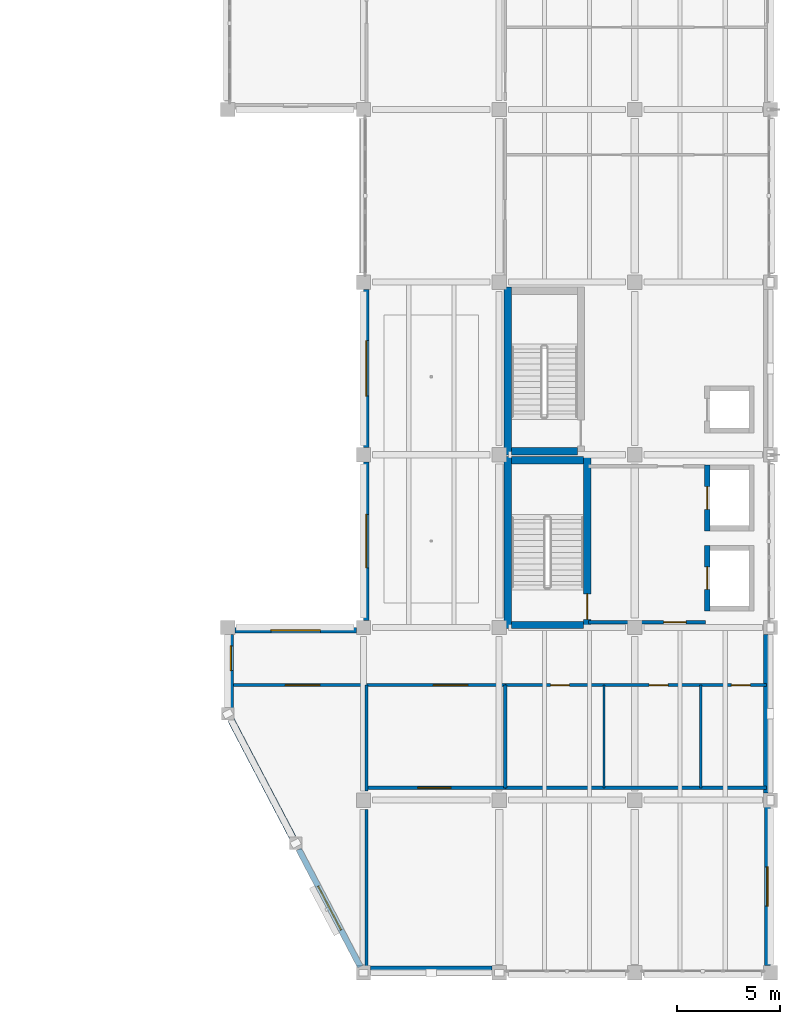
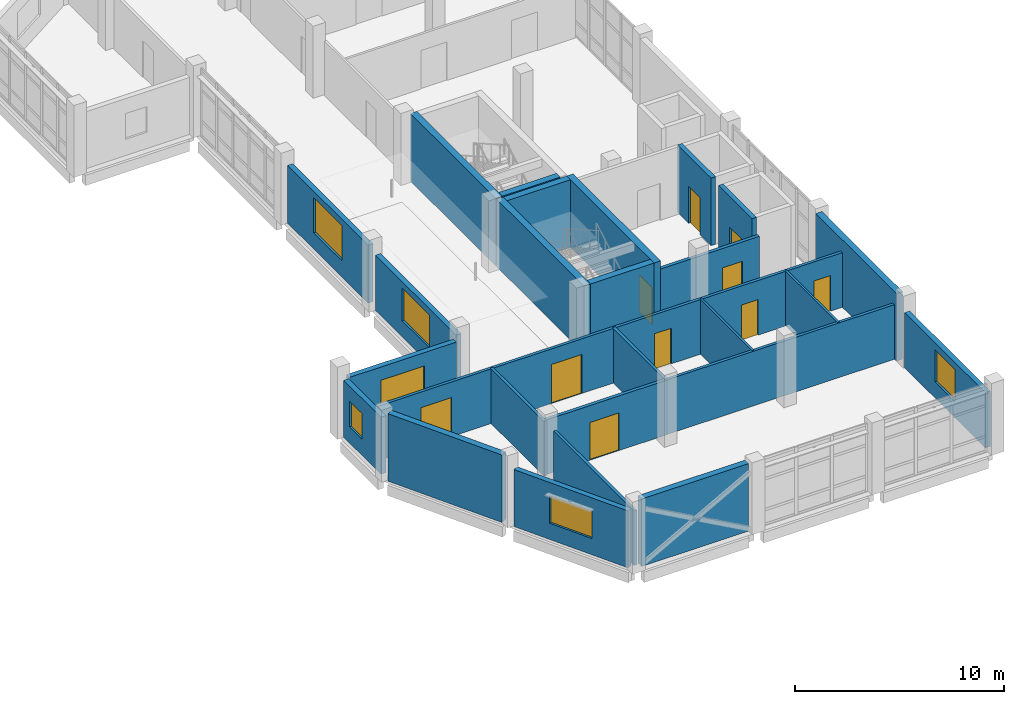
# One storey, part 52 of 74: 27 walls, 10 doors, 6 windows, 16 openings.
"""IFC4 building model written with IfcOpenShell, lengths in metres."""

from ifc_helpers import new_model, si_unit, direction, frame, frame_2d, origin, place, context, subcontext, project, spatial, rectangle, extrude, material, layer, layer_set, type_object, element, fill, save


model = new_model("IFC4")

# Units and contexts
model_context = context("Model", 3, precision=1e-05, world=origin(), true_north=direction((0.0, 1.0)))
body_context = subcontext(model_context, "Body", "Model", "MODEL_VIEW")
ifc_project = project(units=[si_unit("LENGTHUNIT", "METRE"), si_unit("AREAUNIT", "SQUARE_METRE"), si_unit("VOLUMEUNIT", "CUBIC_METRE"), si_unit("PLANEANGLEUNIT", "RADIAN"), si_unit("MASSUNIT", "GRAM", prefix="KILO")], contexts=[model_context])

# Site, building, storey
site_placement = place(None, origin())
site = spatial("IfcSite", under=ifc_project, at=site_placement, CompositionType="ELEMENT")
building_placement = place(site_placement, origin())
building = spatial("IfcBuilding", under=site, at=building_placement, Name="Qaldarim Faculty of Natural and Applied Sciences", CompositionType="ELEMENT")
storey_placement = place(building_placement, frame((0.0, 0.0, 14.39990234375)))
storey = spatial("IfcBuildingStorey", under=building, at=storey_placement, Name="L03", CompositionType="ELEMENT", Elevation=14.39990234375)

# Walls
ifc_material_1 = material(Name="Painted gypsum partition board")
ifc_layer_1 = layer(ifc_material_1, 0.1201171875)
ifc_layer_set_1 = layer_set([ifc_layer_1], Name="Painted gypsum partition board")
wall_type_1 = type_object("IfcWallType", Name="AcousticPartition-120", PredefinedType="PARTITIONING", material=ifc_layer_set_1)
for number, where, z_axis, x_axis, name in (
    (1, (170.10009765625, 9.0, 0.0), (0.0, 0.0, 1.0), (0.0, 1.0, 0.0), "Interior partition PRT-L03-V5-WCD1"),
    (2, (174.800048828125, 9.0, 0.0), (0.0, 0.0, 1.0), (0.0, 1.0, 0.0), "Interior partition PRT-L03-V5-WCD2"),
):
    element("IfcWall", number, at=place(storey_placement, frame(where, z_axis=z_axis, x_axis=x_axis)), inside=storey, type_object=wall_type_1, Name=name, PredefinedType="PARTITIONING", context=body_context, shape_type="SweptSolid", body=[
        extrude(rectangle(XDim=5.0, YDim=0.1201171875, at=frame_2d((2.5, 0.0))), origin(), (0.0, 0.0, 1.0), 3.190185546875),
    ])
ifc_material_2 = material(Name="Concrete C50/60", Category="concrete")
ifc_layer_2 = layer(ifc_material_2, 0.360107421875)
ifc_layer_set_2 = layer_set([ifc_layer_2], Name="Concrete C50/60")
wall_type_2 = type_object("IfcWallType", Name="CoreShearWall-360", PredefinedType="SHEAR", material=ifc_layer_set_2)
wall_1_placement = place(storey_placement, frame((165.419921875, 16.739990234375, 0.0), z_axis=(0.0, 0.0, 1.0), x_axis=(0.0, 1.0, 0.0)))
element("IfcWall", 3, at=wall_1_placement, inside=storey, type_object=wall_type_2, Name="Core stair ST-A1 west shear wall L03", PredefinedType="SHEAR", context=body_context, shape_type="SweptSolid", body=[
    extrude(rectangle(XDim=8.3701171875, YDim=0.360107421875, at=frame_2d((4.18505859375, 0.0))), origin(), (0.0, 0.0, 1.0), 3.940185546875),
])

# Wall, opening, door
wall_2_placement = place(storey_placement, frame((169.280029296875, 16.739990234375, 0.0), z_axis=(0.0, 0.0, 1.0), x_axis=(0.0, 1.0, 0.0)))
wall_2 = element("IfcWall", 4, at=wall_2_placement, inside=storey, type_object=wall_type_2, Name="Core stair ST-A1 east shear wall L03", PredefinedType="SHEAR", context=body_context, shape_type="SweptSolid", body=[
    extrude(rectangle(XDim=8.3701171875, YDim=0.360107421875, at=frame_2d((4.18505859375, 0.0))), origin(), (0.0, 0.0, 1.0), 3.940185546875),
])
opening_1_placement = place(wall_2_placement, frame((0.449951171875, 0.0, 0.0)))
opening_1 = element("IfcOpeningElement", 5, at=opening_1_placement, cuts=wall_2, Name="Opening ID04", PredefinedType="OPENING", context=body_context, shape_type="SweptSolid", body=[
    extrude(rectangle(XDim=1.25, YDim=2.14990234375, at=frame_2d((0.625, 1.074951171875))), frame((0.0, 0.18994140625, 0.0), z_axis=(0.0, -1.0, 0.0), x_axis=(1.0, 0.0, 0.0)), (0.0, 0.0, 1.0), 0.380126953125),
])
ifc_material_3 = material(Name="Architectural stainless steel 316", Category="steel")
door_type_1 = type_object("IfcDoorType", Name="StairEnclosureFireDoor-1250x2150", OperationType="NOTDEFINED", PredefinedType="DOOR", material=ifc_material_3)
door_1_placement = place(opening_1_placement, origin())
door_1 = element("IfcDoor", 6, at=door_1_placement, inside=storey, type_object=door_type_1, Name="Protected stair ST-A1 fire door D-L03-505", OperationType="SINGLE_SWING_LEFT", OverallHeight=2.14990234375, OverallWidth=1.25, PredefinedType="DOOR", context=body_context, shape_type="SweptSolid", body=[
    extrude(rectangle(XDim=1.25, YDim=2.14990234375, at=frame_2d((0.625, 1.074951171875))), frame((0.0, 0.02490234375, 0.0), z_axis=(0.0, -1.0, 0.0), x_axis=(1.0, 0.0, 0.0)), (0.0, 0.0, 1.0), 0.050048828125),
])
fill(opening_1, door_1)

# Walls
for number, where, z_axis, x_axis, name in (
    (7, (165.60009765625, 24.929931640625, 0.0), (0.0, 0.0, 1.0), (1.0, 0.0, 0.0), "Core stair ST-A1 north shear wall L03"),
    (8, (165.60009765625, 16.919921875, 0.0), (0.0, 0.0, 1.0), (1.0, 0.0, 0.0), "Core stair ST-A1 south shear wall L03"),
):
    element("IfcWall", number, at=place(storey_placement, frame(where, z_axis=z_axis, x_axis=x_axis)), inside=storey, type_object=wall_type_2, Name=name, PredefinedType="SHEAR", context=body_context, shape_type="SweptSolid", body=[
        extrude(rectangle(XDim=3.5, YDim=0.360107421875, at=frame_2d((1.75, 0.0))), origin(), (0.0, 0.0, 1.0), 3.940185546875),
    ])
wall_3_placement = place(storey_placement, frame((165.419921875, 25.18994140625, 0.0), z_axis=(0.0, 0.0, 1.0), x_axis=(0.0, 1.0, 0.0)))
element("IfcWall", 9, at=wall_3_placement, inside=storey, type_object=wall_type_2, Name="Core stair ST-A2 west shear wall L03", PredefinedType="SHEAR", context=body_context, shape_type="SweptSolid", body=[
    extrude(rectangle(XDim=8.170166015625, YDim=0.360107421875, at=frame_2d((4.0849609375, 0.0))), origin(), (0.0, 0.0, 1.0), 3.940185546875),
])
wall_4_placement = place(storey_placement, frame((165.60009765625, 25.3701171875, 0.0), z_axis=(0.0, 0.0, 1.0), x_axis=(1.0, 0.0, 0.0)))
element("IfcWall", 10, at=wall_4_placement, inside=storey, type_object=wall_type_2, Name="Core stair ST-A2 south shear wall L03", PredefinedType="SHEAR", context=body_context, shape_type="SweptSolid", body=[
    extrude(rectangle(XDim=3.199951171875, YDim=0.360107421875, at=frame_2d((1.60009765625, 0.0))), origin(), (0.0, 0.0, 1.0), 3.940185546875),
])

# Wall, opening, window
ifc_material_4 = material(Name="Precast concrete C40/50", Category="concrete")
ifc_layer_3 = layer(ifc_material_4, 0.280029296875)
ifc_layer_set_3 = layer_set([ifc_layer_3], Name="Precast concrete C40/50")
wall_type_3 = type_object("IfcWallType", Name="ExteriorSpandrelWall-280", PredefinedType="SOLIDWALL", material=ifc_layer_set_3)
wall_5_placement = place(storey_placement, frame((158.054931640625, 16.659912109375, 0.0), z_axis=(0.0, 0.0, 1.0), x_axis=(-1.0, 0.0, 0.0)))
wall_5 = element("IfcWall", 11, at=wall_5_placement, inside=storey, type_object=wall_type_3, Name="Exterior wall EW02 L03 N X24Y02", PredefinedType="SOLIDWALL", context=body_context, shape_type="SweptSolid", body=[
    extrude(rectangle(XDim=5.909912109375, YDim=0.280029296875, at=frame_2d((2.955078125, 0.0))), origin(), (0.0, 0.0, 1.0), 3.3251953125),
])
opening_2_placement = place(wall_5_placement, frame((1.7548828125, 0.0, 0.949951171875)))
opening_2 = element("IfcOpeningElement", 12, at=opening_2_placement, cuts=wall_5, Name="Opening WN03", PredefinedType="OPENING", context=body_context, shape_type="SweptSolid", body=[
    extrude(rectangle(XDim=2.39990234375, YDim=1.60009765625, at=frame_2d((1.199951171875, 0.800048828125))), frame((0.0, 0.14990234375, 0.0), z_axis=(0.0, -1.0, 0.0), x_axis=(1.0, 0.0, 0.0)), (0.0, 0.0, 1.0), 0.300048828125),
])
ifc_material_5 = material(Name="Insulated low-e double glazing", Category="glass")
window_type_1 = type_object("IfcWindowType", Name="Window-2400x1600", PartitioningType="TRIPLE_PANEL_VERTICAL", PredefinedType="WINDOW", material=ifc_material_5)
window_1_placement = place(opening_2_placement, origin())
window_1 = element("IfcWindow", 13, at=window_1_placement, inside=storey, type_object=window_type_1, Name="Facade window WN03 L03 N X24Y02", OverallHeight=1.60009765625, OverallWidth=2.39990234375, PartitioningType="SINGLE_PANEL", PredefinedType="WINDOW", context=body_context, shape_type="SweptSolid", body=[
    extrude(rectangle(XDim=2.39990234375, YDim=1.60009765625, at=frame_2d((1.199951171875, 0.800048828125))), frame((0.0, 0.030029296875, 0.0), z_axis=(0.0, -1.0, 0.0), x_axis=(1.0, 0.0, 0.0)), (0.0, 0.0, 1.0), 0.06005859375),
])
fill(opening_2, window_1)

wall_6_placement = place(storey_placement, frame((158.5400390625, 24.85498046875, 0.0), z_axis=(0.0, 0.0, 1.0), x_axis=(0.0, -1.0, 0.0)))
wall_6 = element("IfcWall", 14, at=wall_6_placement, inside=storey, type_object=wall_type_3, Name="Exterior wall EW02 L03 W X25Y03", PredefinedType="SOLIDWALL", context=body_context, shape_type="SweptSolid", body=[
    extrude(rectangle(XDim=7.7099609375, YDim=0.280029296875, at=frame_2d((3.85498046875, 0.0))), origin(), (0.0, 0.0, 1.0), 3.22509765625),
])
opening_3_placement = place(wall_6_placement, frame((2.554931640625, 0.0, 0.949951171875)))
opening_3 = element("IfcOpeningElement", 15, at=opening_3_placement, cuts=wall_6, Name="Opening WN22", PredefinedType="OPENING", context=body_context, shape_type="SweptSolid", body=[
    extrude(rectangle(XDim=2.60009765625, YDim=1.89990234375, at=frame_2d((1.300048828125, 0.949951171875))), frame((0.0, 0.14990234375, 0.0), z_axis=(0.0, -1.0, 0.0), x_axis=(1.0, 0.0, 0.0)), (0.0, 0.0, 1.0), 0.300048828125),
])
window_type_2 = type_object("IfcWindowType", Name="StudyWindow-2600x1900", PartitioningType="TRIPLE_PANEL_VERTICAL", PredefinedType="WINDOW", material=ifc_material_5)
window_2_placement = place(opening_3_placement, origin())
window_2 = element("IfcWindow", 16, at=window_2_placement, inside=storey, type_object=window_type_2, Name="Facade window WN22 L03 W X25Y03", OverallHeight=1.89990234375, OverallWidth=2.60009765625, PartitioningType="SINGLE_PANEL", PredefinedType="WINDOW", context=body_context, shape_type="SweptSolid", body=[
    extrude(rectangle(XDim=2.60009765625, YDim=1.89990234375, at=frame_2d((1.300048828125, 0.949951171875))), frame((0.0, 0.030029296875, 0.0), z_axis=(0.0, -1.0, 0.0), x_axis=(1.0, 0.0, 0.0)), (0.0, 0.0, 1.0), 0.06005859375),
])
fill(opening_3, window_2)

wall_7_placement = place(storey_placement, frame((158.5400390625, 33.2548828125, 0.0), z_axis=(0.0, 0.0, 1.0), x_axis=(0.0, -1.0, 0.0)))
wall_7 = element("IfcWall", 17, at=wall_7_placement, inside=storey, type_object=wall_type_3, Name="Exterior wall EW02 L03 W X25Y04", PredefinedType="SOLIDWALL", context=body_context, shape_type="SweptSolid", body=[
    extrude(rectangle(XDim=7.7099609375, YDim=0.280029296875, at=frame_2d((3.85498046875, 0.0))), origin(), (0.0, 0.0, 1.0), 3.375),
])
opening_4_placement = place(wall_7_placement, frame((2.5048828125, 0.0, 0.949951171875)))
opening_4 = element("IfcOpeningElement", 18, at=opening_4_placement, cuts=wall_7, Name="Opening WN29", PredefinedType="OPENING", context=body_context, shape_type="SweptSolid", body=[
    extrude(rectangle(XDim=2.699951171875, YDim=2.050048828125, at=frame_2d((1.35009765625, 1.02490234375))), frame((0.0, 0.14990234375, 0.0), z_axis=(0.0, -1.0, 0.0), x_axis=(1.0, 0.0, 0.0)), (0.0, 0.0, 1.0), 0.300048828125),
])
window_type_3 = type_object("IfcWindowType", Name="GalleryWindow-2700x2050", PartitioningType="TRIPLE_PANEL_VERTICAL", PredefinedType="WINDOW", material=ifc_material_5)
window_3_placement = place(opening_4_placement, origin())
window_3 = element("IfcWindow", 19, at=window_3_placement, inside=storey, type_object=window_type_3, Name="Facade window WN29 L03 W X25Y04", OverallHeight=2.050048828125, OverallWidth=2.699951171875, PartitioningType="SINGLE_PANEL", PredefinedType="WINDOW", context=body_context, shape_type="SweptSolid", body=[
    extrude(rectangle(XDim=2.699951171875, YDim=2.050048828125, at=frame_2d((1.35009765625, 1.02490234375))), frame((0.0, 0.030029296875, 0.0), z_axis=(0.0, -1.0, 0.0), x_axis=(1.0, 0.0, 0.0)), (0.0, 0.0, 1.0), 0.06005859375),
])
fill(opening_4, window_3)

wall_8_placement = place(storey_placement, frame((178.06005859375, 0.344970703125, 0.0), z_axis=(0.0, 0.0, 1.0), x_axis=(0.0, 1.0, 0.0)))
wall_8 = element("IfcWall", 20, at=wall_8_placement, inside=storey, type_object=wall_type_3, Name="Exterior wall EW02 L03 E X27Y01", PredefinedType="SOLIDWALL", context=body_context, shape_type="SweptSolid", body=[
    extrude(rectangle(XDim=7.7099609375, YDim=0.280029296875, at=frame_2d((3.85498046875, 0.0))), origin(), (0.0, 0.0, 1.0), 3.22509765625),
])
opening_5_placement = place(wall_8_placement, frame((2.905029296875, 0.0, 0.949951171875)))
opening_5 = element("IfcOpeningElement", 21, at=opening_5_placement, cuts=wall_8, Name="Opening WN20", PredefinedType="OPENING", context=body_context, shape_type="SweptSolid", body=[
    extrude(rectangle(XDim=1.89990234375, YDim=1.85009765625, at=frame_2d((0.949951171875, 0.925048828125))), frame((0.0, 0.14990234375, 0.0), z_axis=(0.0, -1.0, 0.0), x_axis=(1.0, 0.0, 0.0)), (0.0, 0.0, 1.0), 0.300048828125),
])
window_type_4 = type_object("IfcWindowType", Name="StudyWindow-1900x1850", PartitioningType="DOUBLE_PANEL_VERTICAL", PredefinedType="WINDOW", material=ifc_material_5)
window_4_placement = place(opening_5_placement, origin())
window_4 = element("IfcWindow", 22, at=window_4_placement, inside=storey, type_object=window_type_4, Name="Facade window WN20 L03 E X27Y01", OverallHeight=1.85009765625, OverallWidth=1.89990234375, PartitioningType="SINGLE_PANEL", PredefinedType="WINDOW", context=body_context, shape_type="SweptSolid", body=[
    extrude(rectangle(XDim=1.89990234375, YDim=1.85009765625, at=frame_2d((0.949951171875, 0.925048828125))), frame((0.0, 0.030029296875, 0.0), z_axis=(0.0, -1.0, 0.0), x_axis=(1.0, 0.0, 0.0)), (0.0, 0.0, 1.0), 0.06005859375),
])
fill(opening_5, window_4)

wall_9_placement = place(storey_placement, frame((151.93994140625, 16.455078125, 0.0), z_axis=(0.0, 0.0, 1.0), x_axis=(0.0, -1.0, 0.0)))
wall_9 = element("IfcWall", 23, at=wall_9_placement, inside=storey, type_object=wall_type_3, Name="Oblique SW chamfer return facade wall L03", PredefinedType="SOLIDWALL", context=body_context, shape_type="SweptSolid", body=[
    extrude(rectangle(XDim=3.56005859375, YDim=0.280029296875, at=frame_2d((1.780029296875, 0.0))), origin(), (0.0, 0.0, 1.0), 3.3251953125),
])
opening_6_placement = place(wall_9_placement, frame((0.550048828125, 0.0, 0.949951171875)))
opening_6 = element("IfcOpeningElement", 24, at=opening_6_placement, cuts=wall_9, Name="Opening WN01", PredefinedType="OPENING", context=body_context, shape_type="SweptSolid", body=[
    extrude(rectangle(XDim=1.199951171875, YDim=1.5, at=frame_2d((0.60009765625, 0.75))), frame((0.0, 0.14990234375, 0.0), z_axis=(0.0, -1.0, 0.0), x_axis=(1.0, 0.0, 0.0)), (0.0, 0.0, 1.0), 0.300048828125),
])
window_type_5 = type_object("IfcWindowType", Name="Window-1200x1500", PartitioningType="SINGLE_PANEL", PredefinedType="WINDOW", material=ifc_material_5)
window_5_placement = place(opening_6_placement, origin())
window_5 = element("IfcWindow", 25, at=window_5_placement, inside=storey, type_object=window_type_5, Name="Oblique SW return window L03", OverallHeight=1.5, OverallWidth=1.199951171875, PartitioningType="SINGLE_PANEL", PredefinedType="WINDOW", context=body_context, shape_type="SweptSolid", body=[
    extrude(rectangle(XDim=1.199951171875, YDim=1.5, at=frame_2d((0.60009765625, 0.75))), frame((0.0, 0.030029296875, 0.0), z_axis=(0.0, -1.0, 0.0), x_axis=(1.0, 0.0, 0.0)), (0.0, 0.0, 1.0), 0.06005859375),
])
fill(opening_6, window_5)

wall_10_placement = place(storey_placement, frame((155.25, 6.010009765625, 0.0), z_axis=(0.0, 0.0, 1.0), x_axis=(0.464471613901, -0.885588007981, 0.0)))
wall_10 = element("IfcWall", 26, at=wall_10_placement, inside=storey, type_object=wall_type_3, Name="Oblique SW chamfer fenestrated wall L03 2", PredefinedType="SOLIDWALL", context=body_context, shape_type="SweptSolid", body=[
    extrude(rectangle(XDim=6.458984375, YDim=0.280029296875, at=frame_2d((3.2294921875, 0.0))), origin(), (0.0, 0.0, 1.0), 3.3251953125),
])
opening_7_placement = place(wall_10_placement, frame((2.030029296875, 0.0, 0.949951171875)))
opening_7 = element("IfcOpeningElement", 27, at=opening_7_placement, cuts=wall_10, Name="Opening WN03", PredefinedType="OPENING", context=body_context, shape_type="SweptSolid", body=[
    extrude(rectangle(XDim=2.39990234375, YDim=1.60009765625, at=frame_2d((1.199951171875, 0.800048828125))), frame((0.0, 0.14990234375, 0.0), z_axis=(0.0, -1.0, 0.0), x_axis=(1.0, 0.0, 0.0)), (0.0, 0.0, 1.0), 0.300048828125),
])
window_6_placement = place(opening_7_placement, origin())
window_6 = element("IfcWindow", 28, at=window_6_placement, inside=storey, type_object=window_type_1, Name="Oblique SW chamfer window L03 2", OverallHeight=1.60009765625, OverallWidth=2.39990234375, PartitioningType="SINGLE_PANEL", PredefinedType="WINDOW", context=body_context, shape_type="SweptSolid", body=[
    extrude(rectangle(XDim=2.39990234375, YDim=1.60009765625, at=frame_2d((1.199951171875, 0.800048828125))), frame((0.0, 0.030029296875, 0.0), z_axis=(0.0, -1.0, 0.0), x_axis=(1.0, 0.0, 0.0)), (0.0, 0.0, 1.0), 0.06005859375),
])
fill(opening_7, window_6)

# Walls
ifc_layer_4 = layer(ifc_material_2, 0.340087890625)
ifc_layer_set_4 = layer_set([ifc_layer_4], Name="Concrete C50/60")
wall_type_4 = type_object("IfcWallType", Name="ExteriorStairShearWall-340", PredefinedType="SHEAR", material=ifc_layer_set_4)
wall_11_placement = place(storey_placement, frame((158.7451171875, 0.169921875, 0.0), z_axis=(0.0, 0.0, 1.0), x_axis=(1.0, 0.0, 0.0)))
element("IfcWall", 29, at=wall_11_placement, inside=storey, type_object=wall_type_4, Name="Exterior wall EW05 L03 S X25Y01", PredefinedType="SHEAR", context=body_context, shape_type="SweptSolid", body=[
    extrude(rectangle(XDim=5.909912109375, YDim=0.340087890625, at=frame_2d((2.955078125, 0.0))), origin(), (0.0, 0.0, 1.0), 3.940185546875),
])
wall_12_placement = place(storey_placement, frame((178.030029296875, 8.7451171875, 0.0), z_axis=(0.0, 0.0, 1.0), x_axis=(0.0, 1.0, 0.0)))
element("IfcWall", 30, at=wall_12_placement, inside=storey, type_object=wall_type_4, Name="Exterior wall EW05 L03 E X27Y02", PredefinedType="SHEAR", context=body_context, shape_type="SweptSolid", body=[
    extrude(rectangle(XDim=7.7099609375, YDim=0.340087890625, at=frame_2d((3.85498046875, 0.0))), origin(), (0.0, 0.0, 1.0), 3.940185546875),
])
wall_13_placement = place(storey_placement, frame((151.949951171875, 12.31005859375, 0.0), z_axis=(0.0, 0.0, 1.0), x_axis=(0.464471613901, -0.885588007981, 0.0)))
element("IfcWall", 31, at=wall_13_placement, inside=storey, type_object=wall_type_4, Name="Oblique SW chamfer braced wall L03 1", PredefinedType="SHEAR", context=body_context, shape_type="SweptSolid", body=[
    extrude(rectangle(XDim=6.458984375, YDim=0.340087890625, at=frame_2d((3.2294921875, 0.0))), origin(), (0.0, 0.0, 1.0), 3.940185546875),
])

# Wall, openings, doors
ifc_material_6 = material(Name="Concrete C40/50", Category="concrete")
ifc_layer_5 = layer(ifc_material_6, 0.159912109375)
ifc_layer_set_5 = layer_set([ifc_layer_5], Name="Concrete C40/50")
wall_type_5 = type_object("IfcWallType", Name="FireCorridorWall-160", PredefinedType="PARTITIONING", material=ifc_layer_set_5)
wall_14_placement = place(storey_placement, frame((165.300048828125, 14.0, 0.0), z_axis=(0.0, 0.0, 1.0), x_axis=(1.0, 0.0, 0.0)))
wall_14 = element("IfcWall", 32, at=wall_14_placement, inside=storey, type_object=wall_type_5, Name="Interior partition PRT-L03-V5-WCN", PredefinedType="PARTITIONING", context=body_context, shape_type="SweptSolid", body=[
    extrude(rectangle(XDim=12.699951171875, YDim=0.159912109375, at=frame_2d((6.35009765625, 0.0))), origin(), (0.0, 0.0, 1.0), 3.190185546875),
])
opening_8_placement = place(wall_14_placement, frame((2.199951171875, 0.0, 0.0)))
opening_8 = element("IfcOpeningElement", 33, at=opening_8_placement, cuts=wall_14, Name="Opening ID14", PredefinedType="OPENING", context=body_context, shape_type="SweptSolid", body=[
    extrude(rectangle(XDim=0.919921875, YDim=2.080078125, at=frame_2d((0.4599609375, 1.0400390625))), frame((0.0, 0.08984375, 0.0), z_axis=(0.0, -1.0, 0.0), x_axis=(1.0, 0.0, 0.0)), (0.0, 0.0, 1.0), 0.179931640625),
])
opening_9_placement = place(wall_14_placement, frame((7.0, 0.0, 0.0)))
opening_9 = element("IfcOpeningElement", 34, at=opening_9_placement, cuts=wall_14, Name="Opening ID14", PredefinedType="OPENING", context=body_context, shape_type="SweptSolid", body=[
    extrude(rectangle(XDim=0.919921875, YDim=2.080078125, at=frame_2d((0.4599609375, 1.0400390625))), frame((0.0, 0.08984375, 0.0), z_axis=(0.0, -1.0, 0.0), x_axis=(1.0, 0.0, 0.0)), (0.0, 0.0, 1.0), 0.179931640625),
])
opening_10_placement = place(wall_14_placement, frame((11.0, 0.0, 0.0)))
opening_10 = element("IfcOpeningElement", 35, at=opening_10_placement, cuts=wall_14, Name="Opening ID14", PredefinedType="OPENING", context=body_context, shape_type="SweptSolid", body=[
    extrude(rectangle(XDim=0.919921875, YDim=2.080078125, at=frame_2d((0.4599609375, 1.0400390625))), frame((0.0, 0.08984375, 0.0), z_axis=(0.0, -1.0, 0.0), x_axis=(1.0, 0.0, 0.0)), (0.0, 0.0, 1.0), 0.179931640625),
])
ifc_material_7 = material(Name="Oak hardwood", Category="wood")
door_type_2 = type_object("IfcDoorType", Name="WashroomDoor-920x2080", OperationType="NOTDEFINED", PredefinedType="DOOR", material=ifc_material_7)
door_2_placement = place(opening_8_placement, origin())
door_2 = element("IfcDoor", 36, at=door_2_placement, inside=storey, type_object=door_type_2, Name="Interior door D-L03-113", OperationType="SINGLE_SWING_LEFT", OverallHeight=2.080078125, OverallWidth=0.919921875, PredefinedType="DOOR", context=body_context, shape_type="SweptSolid", body=[
    extrude(rectangle(XDim=0.919921875, YDim=2.080078125, at=frame_2d((0.4599609375, 1.0400390625))), frame((0.0, 0.02490234375, 0.0), z_axis=(0.0, -1.0, 0.0), x_axis=(1.0, 0.0, 0.0)), (0.0, 0.0, 1.0), 0.050048828125),
])
fill(opening_8, door_2)
door_3_placement = place(opening_9_placement, origin())
door_3 = element("IfcDoor", 37, at=door_3_placement, inside=storey, type_object=door_type_2, Name="Interior door D-L03-114", OperationType="SINGLE_SWING_RIGHT", OverallHeight=2.080078125, OverallWidth=0.919921875, PredefinedType="DOOR", context=body_context, shape_type="SweptSolid", body=[
    extrude(rectangle(XDim=0.919921875, YDim=2.080078125, at=frame_2d((0.4599609375, 1.0400390625))), frame((0.0, 0.02490234375, 0.0), z_axis=(0.0, -1.0, 0.0), x_axis=(1.0, 0.0, 0.0)), (0.0, 0.0, 1.0), 0.050048828125),
])
fill(opening_9, door_3)
door_4_placement = place(opening_10_placement, origin())
door_4 = element("IfcDoor", 38, at=door_4_placement, inside=storey, type_object=door_type_2, Name="Interior door D-L03-115", OperationType="SINGLE_SWING_LEFT", OverallHeight=2.080078125, OverallWidth=0.919921875, PredefinedType="DOOR", context=body_context, shape_type="SweptSolid", body=[
    extrude(rectangle(XDim=0.919921875, YDim=2.080078125, at=frame_2d((0.4599609375, 1.0400390625))), frame((0.0, 0.02490234375, 0.0), z_axis=(0.0, -1.0, 0.0), x_axis=(1.0, 0.0, 0.0)), (0.0, 0.0, 1.0), 0.050048828125),
])
fill(opening_10, door_4)

# Walls
wall_15_placement = place(storey_placement, frame((165.300048828125, 9.0, 0.0), z_axis=(0.0, 0.0, 1.0), x_axis=(1.0, 0.0, 0.0)))
element("IfcWall", 39, at=wall_15_placement, inside=storey, type_object=wall_type_5, Name="Interior partition PRT-L03-V5-WCS", PredefinedType="PARTITIONING", context=body_context, shape_type="SweptSolid", body=[
    extrude(rectangle(XDim=12.699951171875, YDim=0.159912109375, at=frame_2d((6.35009765625, 0.0))), origin(), (0.0, 0.0, 1.0), 3.190185546875),
])
wall_16_placement = place(storey_placement, frame((165.300048828125, 9.0, 0.0), z_axis=(0.0, 0.0, 1.0), x_axis=(0.0, 1.0, 0.0)))
element("IfcWall", 40, at=wall_16_placement, inside=storey, type_object=wall_type_5, Name="Interior partition PRT-L03-V5-WCW", PredefinedType="PARTITIONING", context=body_context, shape_type="SweptSolid", body=[
    extrude(rectangle(XDim=5.0, YDim=0.159912109375, at=frame_2d((2.5, 0.0))), origin(), (0.0, 0.0, 1.0), 3.190185546875),
])
wall_17_placement = place(storey_placement, frame((158.550048828125, 0.25, 0.0), z_axis=(0.0, 0.0, 1.0), x_axis=(0.0, 1.0, 0.0)))
element("IfcWall", 41, at=wall_17_placement, inside=storey, type_object=wall_type_5, Name="Interior partition PRT-L03-V5-SWSE-S1", PredefinedType="PARTITIONING", context=body_context, shape_type="SweptSolid", body=[
    extrude(rectangle(XDim=7.699951171875, YDim=0.159912109375, at=frame_2d((3.85009765625, 0.0))), origin(), (0.0, 0.0, 1.0), 3.190185546875),
])
wall_18_placement = place(storey_placement, frame((158.550048828125, 8.85009765625, 0.0), z_axis=(0.0, 0.0, 1.0), x_axis=(0.0, 1.0, 0.0)))
element("IfcWall", 42, at=wall_18_placement, inside=storey, type_object=wall_type_5, Name="Interior partition PRT-L03-V5-SWSE-S2", PredefinedType="PARTITIONING", context=body_context, shape_type="SweptSolid", body=[
    extrude(rectangle(XDim=5.14990234375, YDim=0.159912109375, at=frame_2d((2.574951171875, 0.0))), origin(), (0.0, 0.0, 1.0), 3.190185546875),
])

# Wall, openings, doors
wall_19_placement = place(storey_placement, frame((152.0, 14.0, 0.0), z_axis=(0.0, 0.0, 1.0), x_axis=(1.0, 0.0, 0.0)))
wall_19 = element("IfcWall", 43, at=wall_19_placement, inside=storey, type_object=wall_type_5, Name="Interior partition PRT-L03-V5-MIDN", PredefinedType="PARTITIONING", context=body_context, shape_type="SweptSolid", body=[
    extrude(rectangle(XDim=13.300048828125, YDim=0.159912109375, at=frame_2d((6.64990234375, 0.0))), origin(), (0.0, 0.0, 1.0), 3.190185546875),
])
opening_11_placement = place(wall_19_placement, frame((2.60009765625, 0.0, 0.0)))
opening_11 = element("IfcOpeningElement", 44, at=opening_11_placement, cuts=wall_19, Name="Opening ID18", PredefinedType="OPENING", context=body_context, shape_type="SweptSolid", body=[
    extrude(rectangle(XDim=1.679931640625, YDim=2.280029296875, at=frame_2d((0.83984375, 1.14013671875))), frame((0.0, 0.08984375, 0.0), z_axis=(0.0, -1.0, 0.0), x_axis=(1.0, 0.0, 0.0)), (0.0, 0.0, 1.0), 0.179931640625),
])
opening_12_placement = place(wall_19_placement, frame((9.800048828125, 0.0, 0.0)))
opening_12 = element("IfcOpeningElement", 45, at=opening_12_placement, cuts=wall_19, Name="Opening ID18", PredefinedType="OPENING", context=body_context, shape_type="SweptSolid", body=[
    extrude(rectangle(XDim=1.679931640625, YDim=2.280029296875, at=frame_2d((0.83984375, 1.14013671875))), frame((0.0, 0.08984375, 0.0), z_axis=(0.0, -1.0, 0.0), x_axis=(1.0, 0.0, 0.0)), (0.0, 0.0, 1.0), 0.179931640625),
])
door_type_3 = type_object("IfcDoorType", Name="GalleryDoubleDoor-1680x2280", OperationType="NOTDEFINED", PredefinedType="DOOR", material=ifc_material_7)
door_5_placement = place(opening_11_placement, origin())
door_5 = element("IfcDoor", 46, at=door_5_placement, inside=storey, type_object=door_type_3, Name="Interior door D-L03-411", OperationType="SINGLE_SWING_LEFT", OverallHeight=2.280029296875, OverallWidth=1.679931640625, PredefinedType="DOOR", context=body_context, shape_type="SweptSolid", body=[
    extrude(rectangle(XDim=1.679931640625, YDim=2.280029296875, at=frame_2d((0.83984375, 1.14013671875))), frame((0.0, 0.02490234375, 0.0), z_axis=(0.0, -1.0, 0.0), x_axis=(1.0, 0.0, 0.0)), (0.0, 0.0, 1.0), 0.050048828125),
])
fill(opening_11, door_5)
door_6_placement = place(opening_12_placement, origin())
door_6 = element("IfcDoor", 47, at=door_6_placement, inside=storey, type_object=door_type_3, Name="Interior door D-L03-412", OperationType="SINGLE_SWING_RIGHT", OverallHeight=2.280029296875, OverallWidth=1.679931640625, PredefinedType="DOOR", context=body_context, shape_type="SweptSolid", body=[
    extrude(rectangle(XDim=1.679931640625, YDim=2.280029296875, at=frame_2d((0.83984375, 1.14013671875))), frame((0.0, 0.02490234375, 0.0), z_axis=(0.0, -1.0, 0.0), x_axis=(1.0, 0.0, 0.0)), (0.0, 0.0, 1.0), 0.050048828125),
])
fill(opening_12, door_6)

# Wall, opening, door
ifc_layer_6 = layer(ifc_material_6, 0.179931640625)
ifc_layer_set_6 = layer_set([ifc_layer_6], Name="Concrete C40/50")
wall_type_6 = type_object("IfcWallType", Name="LabFireCompartmentWall-180", PredefinedType="SOLIDWALL", material=ifc_layer_set_6)
wall_20_placement = place(storey_placement, frame((158.550048828125, 9.0, 0.0), z_axis=(0.0, 0.0, 1.0), x_axis=(1.0, 0.0, 0.0)))
wall_20 = element("IfcWall", 48, at=wall_20_placement, inside=storey, type_object=wall_type_6, Name="Interior partition PRT-L03-V5-CATN", PredefinedType="SOLIDWALL", context=body_context, shape_type="SweptSolid", body=[
    extrude(rectangle(XDim=6.75, YDim=0.179931640625, at=frame_2d((3.375, 0.0))), origin(), (0.0, 0.0, 1.0), 3.190185546875),
])
opening_13_placement = place(wall_20_placement, frame((2.5, 0.0, 0.0)))
opening_13 = element("IfcOpeningElement", 49, at=opening_13_placement, cuts=wall_20, Name="Opening ID06", PredefinedType="OPENING", context=body_context, shape_type="SweptSolid", body=[
    extrude(rectangle(XDim=1.60009765625, YDim=2.199951171875, at=frame_2d((0.800048828125, 1.10009765625))), frame((0.0, 0.099853515625, 0.0), z_axis=(0.0, -1.0, 0.0), x_axis=(1.0, 0.0, 0.0)), (0.0, 0.0, 1.0), 0.199951171875),
])
door_type_4 = type_object("IfcDoorType", Name="LabEquipmentDoubleDoor-1600x2200", OperationType="NOTDEFINED", PredefinedType="DOOR", material=ifc_material_3)
door_7_placement = place(opening_13_placement, origin())
door_7 = element("IfcDoor", 50, at=door_7_placement, inside=storey, type_object=door_type_4, Name="Interior door D-L03-238", OperationType="DOUBLE_DOOR_SINGLE_SWING", OverallHeight=2.199951171875, OverallWidth=1.60009765625, PredefinedType="DOOR", context=body_context, shape_type="SweptSolid", body=[
    extrude(rectangle(XDim=1.60009765625, YDim=2.199951171875, at=frame_2d((0.800048828125, 1.10009765625))), frame((0.0, 0.02490234375, 0.0), z_axis=(0.0, -1.0, 0.0), x_axis=(1.0, 0.0, 0.0)), (0.0, 0.0, 1.0), 0.050048828125),
])
fill(opening_13, door_7)

wall_21_placement = place(storey_placement, frame((169.35009765625, 17.06005859375, 0.0), z_axis=(0.0, 0.0, 1.0), x_axis=(1.0, 0.0, 0.0)))
wall_21 = element("IfcWall", 51, at=wall_21_placement, inside=storey, type_object=wall_type_6, Name="Fire-fighting lobby south wall Core A L03", PredefinedType="SOLIDWALL", context=body_context, shape_type="SweptSolid", body=[
    extrude(rectangle(XDim=5.699951171875, YDim=0.179931640625, at=frame_2d((2.85009765625, 0.0))), origin(), (0.0, 0.0, 1.0), 3.275146484375),
])
opening_14_placement = place(wall_21_placement, frame((3.64990234375, 0.0, 0.0)))
opening_14 = element("IfcOpeningElement", 52, at=opening_14_placement, cuts=wall_21, Name="Opening ID03", PredefinedType="OPENING", context=body_context, shape_type="SweptSolid", body=[
    extrude(rectangle(XDim=1.10009765625, YDim=2.14990234375, at=frame_2d((0.550048828125, 1.074951171875))), frame((0.0, 0.099853515625, 0.0), z_axis=(0.0, -1.0, 0.0), x_axis=(1.0, 0.0, 0.0)), (0.0, 0.0, 1.0), 0.199951171875),
])
door_type_5 = type_object("IfcDoorType", Name="FireLobbyDoor-1100x2150", OperationType="NOTDEFINED", PredefinedType="DOOR", material=ifc_material_7)
door_8_placement = place(opening_14_placement, origin())
door_8 = element("IfcDoor", 53, at=door_8_placement, inside=storey, type_object=door_type_5, Name="Fire-fighting lobby corridor door Core A D-L03-605", OperationType="SINGLE_SWING_LEFT", OverallHeight=2.14990234375, OverallWidth=1.10009765625, PredefinedType="DOOR", context=body_context, shape_type="SweptSolid", body=[
    extrude(rectangle(XDim=1.10009765625, YDim=2.14990234375, at=frame_2d((0.550048828125, 1.074951171875))), frame((0.0, 0.02490234375, 0.0), z_axis=(0.0, -1.0, 0.0), x_axis=(1.0, 0.0, 0.0)), (0.0, 0.0, 1.0), 0.050048828125),
])
fill(opening_14, door_8)

ifc_layer_7 = layer(ifc_material_6, 0.25)
ifc_layer_set_7 = layer_set([ifc_layer_7], Name="Concrete C40/50")
wall_type_7 = type_object("IfcWallType", Name="LiftShaftWall-250", PredefinedType="SHEAR", material=ifc_layer_set_7)
wall_22_placement = place(storey_placement, frame((175.125, 17.60009765625, 0.0), z_axis=(0.0, 0.0, 1.0), x_axis=(0.0, 1.0, 0.0)))
wall_22 = element("IfcWall", 54, at=wall_22_placement, inside=storey, type_object=wall_type_7, Name="Lift LF-A1 front shaft wall L03", PredefinedType="SHEAR", context=body_context, shape_type="SweptSolid", body=[
    extrude(rectangle(XDim=3.199951171875, YDim=0.25, at=frame_2d((1.60009765625, 0.0))), origin(), (0.0, 0.0, 1.0), 3.940185546875),
])
opening_15_placement = place(wall_22_placement, frame((1.050048828125, 0.0, 0.0)))
opening_15 = element("IfcOpeningElement", 55, at=opening_15_placement, cuts=wall_22, Name="Opening LD01", PredefinedType="OPENING", context=body_context, shape_type="SweptSolid", body=[
    extrude(rectangle(XDim=1.10009765625, YDim=2.14990234375, at=frame_2d((0.550048828125, 1.074951171875))), frame((0.0, 0.135009765625, 0.0), z_axis=(0.0, -1.0, 0.0), x_axis=(1.0, 0.0, 0.0)), (0.0, 0.0, 1.0), 0.27001953125),
])
door_type_6 = type_object("IfcDoorType", Name="LiftLandingSlidingDoor-1100x2150", OperationType="NOTDEFINED", PredefinedType="DOOR", material=ifc_material_3)
door_9_placement = place(opening_15_placement, origin())
door_9 = element("IfcDoor", 56, at=door_9_placement, inside=storey, type_object=door_type_6, Name="Lift landing sliding door LF-A1 D-L03-561", OperationType="SLIDING_TO_LEFT", OverallHeight=2.14990234375, OverallWidth=1.10009765625, PredefinedType="DOOR", context=body_context, shape_type="SweptSolid", body=[
    extrude(rectangle(XDim=1.10009765625, YDim=2.14990234375, at=frame_2d((0.550048828125, 1.074951171875))), frame((0.0, 0.02490234375, 0.0), z_axis=(0.0, -1.0, 0.0), x_axis=(1.0, 0.0, 0.0)), (0.0, 0.0, 1.0), 0.050048828125),
])
fill(opening_15, door_9)

wall_23_placement = place(storey_placement, frame((175.125, 21.5, 0.0), z_axis=(0.0, 0.0, 1.0), x_axis=(0.0, 1.0, 0.0)))
wall_23 = element("IfcWall", 57, at=wall_23_placement, inside=storey, type_object=wall_type_7, Name="Lift LF-A2 front shaft wall L03", PredefinedType="SHEAR", context=body_context, shape_type="SweptSolid", body=[
    extrude(rectangle(XDim=3.199951171875, YDim=0.25, at=frame_2d((1.60009765625, 0.0))), origin(), (0.0, 0.0, 1.0), 3.940185546875),
])
opening_16_placement = place(wall_23_placement, frame((1.050048828125, 0.0, 0.0)))
opening_16 = element("IfcOpeningElement", 58, at=opening_16_placement, cuts=wall_23, Name="Opening LD01", PredefinedType="OPENING", context=body_context, shape_type="SweptSolid", body=[
    extrude(rectangle(XDim=1.10009765625, YDim=2.14990234375, at=frame_2d((0.550048828125, 1.074951171875))), frame((0.0, 0.135009765625, 0.0), z_axis=(0.0, -1.0, 0.0), x_axis=(1.0, 0.0, 0.0)), (0.0, 0.0, 1.0), 0.27001953125),
])
door_10_placement = place(opening_16_placement, origin())
door_10 = element("IfcDoor", 59, at=door_10_placement, inside=storey, type_object=door_type_6, Name="Lift landing sliding door LF-A2 D-L03-574", OperationType="SLIDING_TO_LEFT", OverallHeight=2.14990234375, OverallWidth=1.10009765625, PredefinedType="DOOR", context=body_context, shape_type="SweptSolid", body=[
    extrude(rectangle(XDim=1.10009765625, YDim=2.14990234375, at=frame_2d((0.550048828125, 1.074951171875))), frame((0.0, 0.02490234375, 0.0), z_axis=(0.0, -1.0, 0.0), x_axis=(1.0, 0.0, 0.0)), (0.0, 0.0, 1.0), 0.050048828125),
])
fill(opening_16, door_10)

save(model, "model.ifc")
